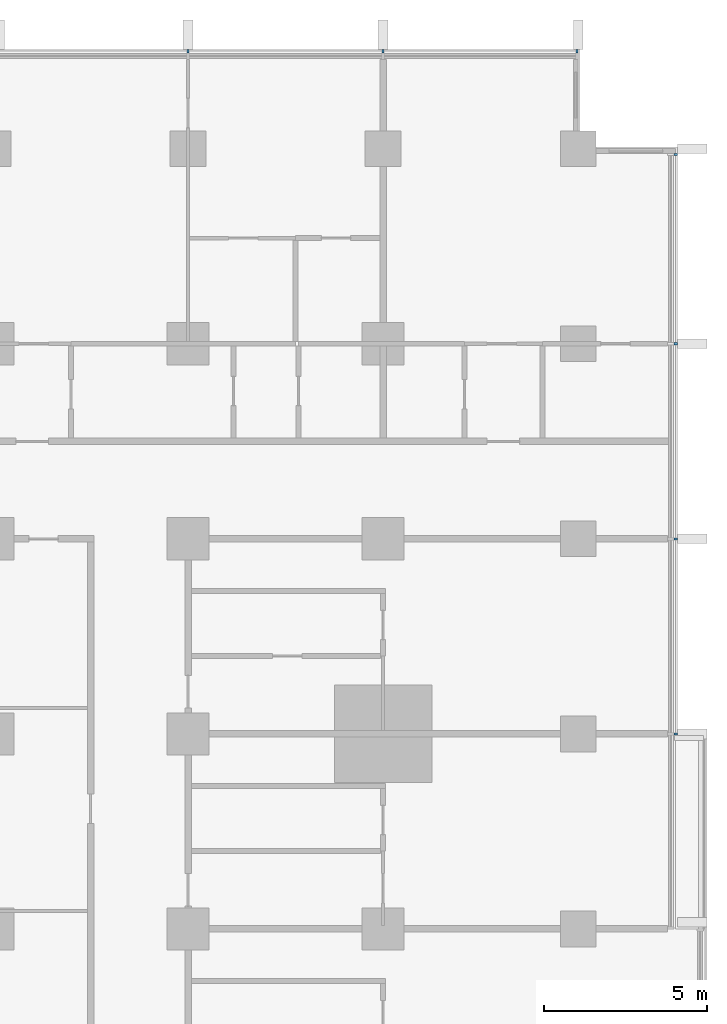
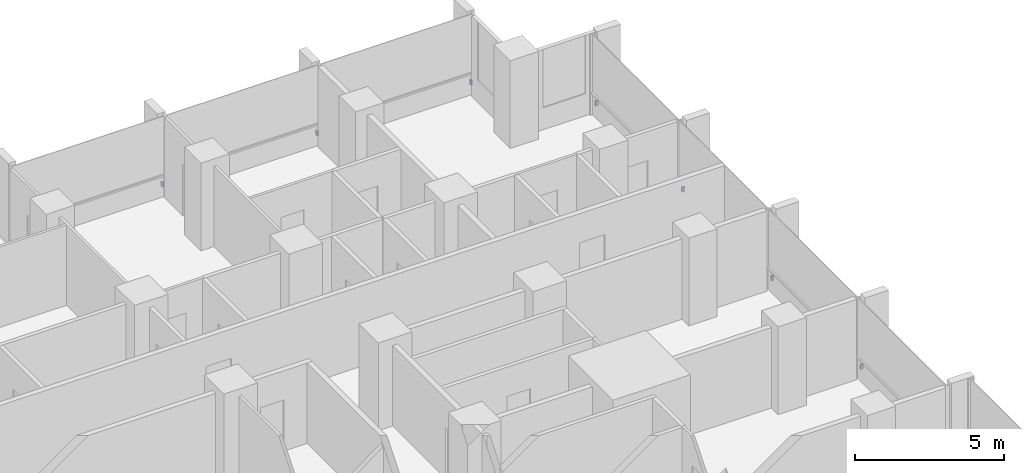
# One storey, part 17 of 18: 7 discrete accessories.
"""IFC4 building model written with IfcOpenShell, lengths in metres."""

from ifc_helpers import new_model, si_unit, direction, frame, origin, origin_2d, place, context, subcontext, project, spatial, rectangle, extrude, material, type_object, element, save


model = new_model("IFC4")

# Units and contexts
model_context = context("Model", 3, precision=1e-05, world=origin(), true_north=direction((0.0, 1.0)))
body_context = subcontext(model_context, "Body", "Model", "MODEL_VIEW")
ifc_project = project(units=[si_unit("LENGTHUNIT", "METRE"), si_unit("AREAUNIT", "SQUARE_METRE"), si_unit("VOLUMEUNIT", "CUBIC_METRE"), si_unit("PLANEANGLEUNIT", "RADIAN"), si_unit("MASSUNIT", "GRAM", prefix="KILO")], contexts=[model_context])

# Site, building, storey
site_placement = place(None, origin())
site = spatial("IfcSite", under=ifc_project, at=site_placement, CompositionType="ELEMENT")
building_placement = place(site_placement, origin())
building = spatial("IfcBuilding", under=site, at=building_placement, Name="Finial Court Residences", CompositionType="ELEMENT")
storey_placement = place(building_placement, frame((0.0, 0.0, 43.300048828125)))
storey = spatial("IfcBuildingStorey", under=building, at=storey_placement, Name="L09", CompositionType="ELEMENT", Elevation=43.300048828125)

# Discrete accessories
ifc_material = material(Name="Stainless steel 316", Category="steel")
discrete_accessory_type = type_object("IfcDiscreteAccessoryType", Name="Fin bracket, stainless steel 65 x 110 x 200", PredefinedType="BRACKET", material=ifc_material)
for number, where, z_axis, x_axis, name in (
    (1, (10.5, 28.5048828125, 0.2998046875), (0.0, 0.0, 1.0), (1.0, 0.0, 0.0), "E-L09-FIN-N6-BRK"),
    (2, (16.5, 28.5048828125, 0.2998046875), (0.0, 0.0, 1.0), (1.0, 0.0, 0.0), "E-L09-FIN-N7-BRK"),
    (3, (22.467529296875, 28.5048828125, 0.2998046875), (0.0, 0.0, 1.0), (1.0, 0.0, 0.0), "E-L09-FIN-N8-BRK"),
):
    element("IfcDiscreteAccessory", number, at=place(storey_placement, frame(where, z_axis=z_axis, x_axis=x_axis)), inside=storey, type_object=discrete_accessory_type, Name=name, PredefinedType="BRACKET", context=body_context, shape_type="SweptSolid", body=[
        extrude(rectangle(XDim=0.06494140625, YDim=0.110107421875, at=origin_2d()), origin(), (0.0, 0.0, 1.0), 0.199951171875),
    ])
for number, where, z_axis, x_axis, name in (
    (4, (25.5048828125, 7.5, 0.2998046875), (0.0, 0.0, 1.0), (1.0, 0.0, 0.0), "E-L09-FIN-E13-BRK"),
    (5, (25.5048828125, 13.5, 0.2998046875), (0.0, 0.0, 1.0), (1.0, 0.0, 0.0), "E-L09-FIN-E14-BRK"),
    (6, (25.5048828125, 19.5, 0.2998046875), (0.0, 0.0, 1.0), (1.0, 0.0, 0.0), "E-L09-FIN-E15-BRK"),
    (7, (25.5048828125, 25.3173828125, 0.2998046875), (0.0, 0.0, 1.0), (1.0, 0.0, 0.0), "E-L09-FIN-E16-BRK"),
):
    element("IfcDiscreteAccessory", number, at=place(storey_placement, frame(where, z_axis=z_axis, x_axis=x_axis)), inside=storey, type_object=discrete_accessory_type, Name=name, PredefinedType="BRACKET", context=body_context, shape_type="SweptSolid", body=[
        extrude(rectangle(XDim=0.110107421875, YDim=0.06494140625, at=origin_2d()), origin(), (0.0, 0.0, 1.0), 0.199951171875),
    ])

save(model, "model.ifc")
